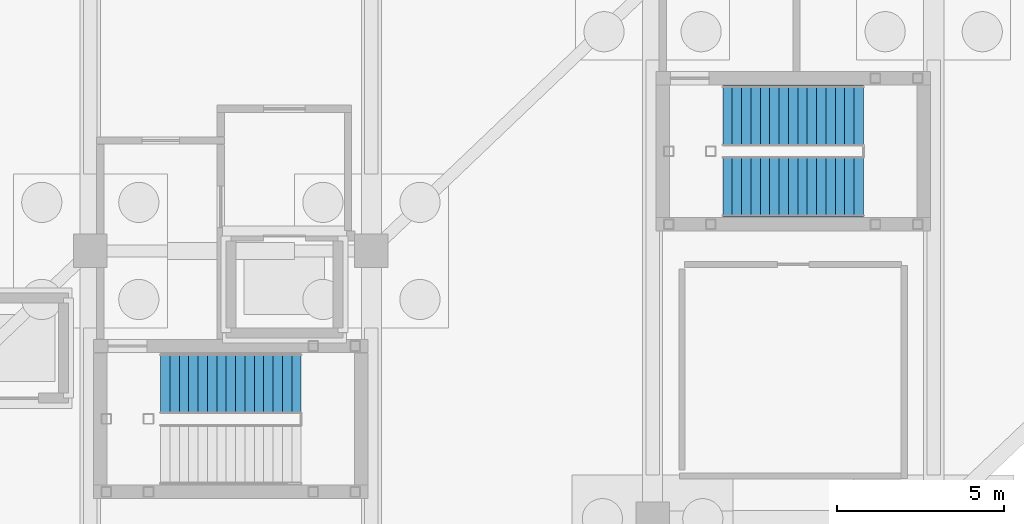
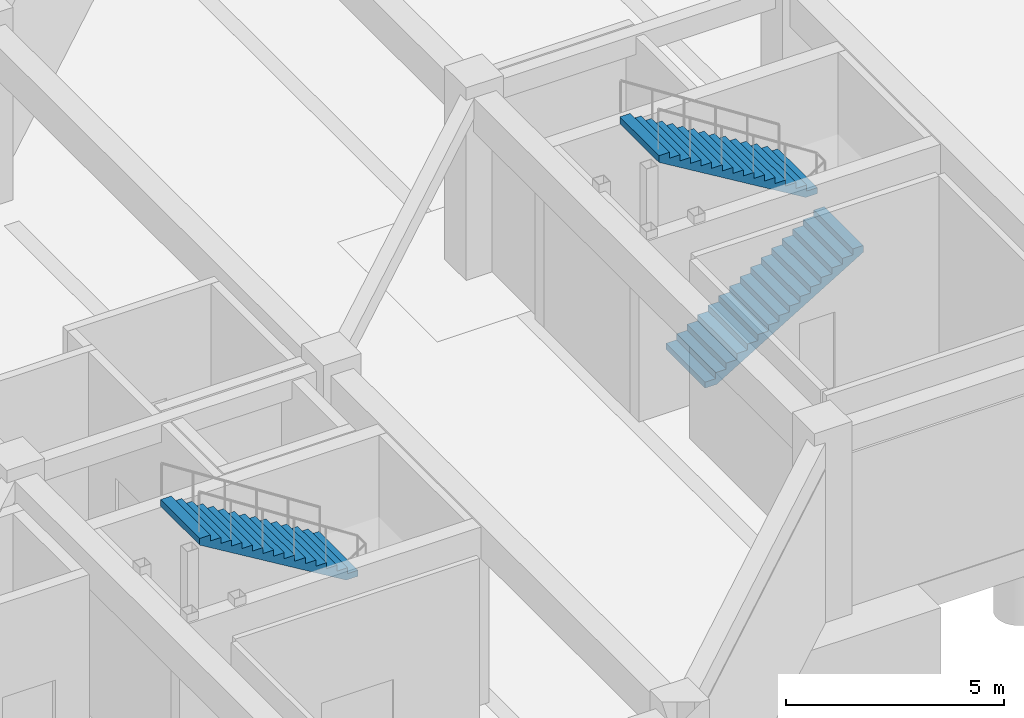
# One storey, part 45 of 56: 3 stair flights, 2 elements without a shape of their own.
"""IFC4 building model written with IfcOpenShell, lengths in metres."""

from ifc_helpers import new_model, si_unit, direction, frame, origin, place, context, subcontext, project, spatial, polyline, outline, extrude, material, type_object, element, aggregate, save


model = new_model("IFC4")

# Units and contexts
model_context = context("Model", 3, precision=1e-05, world=origin(), true_north=direction((0.0, 1.0)))
body_context = subcontext(model_context, "Body", "Model", "MODEL_VIEW")
ifc_project = project(units=[si_unit("LENGTHUNIT", "METRE"), si_unit("AREAUNIT", "SQUARE_METRE"), si_unit("VOLUMEUNIT", "CUBIC_METRE"), si_unit("PLANEANGLEUNIT", "RADIAN"), si_unit("MASSUNIT", "GRAM", prefix="KILO")], contexts=[model_context])

# Site, building, storey
site_placement = place(None, origin())
site = spatial("IfcSite", under=ifc_project, at=site_placement, CompositionType="ELEMENT")
building_placement = place(site_placement, origin())
building = spatial("IfcBuilding", under=site, at=building_placement, Name="Naruveol Harbour Congress Hotel", CompositionType="ELEMENT")
storey_placement = place(building_placement, frame((0.0, 0.0, -5.39990234375)))
storey = spatial("IfcBuildingStorey", under=building, at=storey_placement, Name="B01", CompositionType="ELEMENT", Elevation=-5.39990234375)

# Stair, stair flight
ifc_material_1 = material(Name="Concrete C40/50", Category="concrete")
stair_type = type_object("IfcStairType", Name="RC DOG LEG ESCAPE STAIR 1800W H5400", PredefinedType="HALF_TURN_STAIR", material=ifc_material_1)
stair_1_placement = place(storey_placement, origin())
stair_1 = element("IfcStair", 1, at=stair_1_placement, inside=storey, type_object=stair_type, Name="Special Escape Stair ST2 B01 to L00", PredefinedType="HALF_TURN_STAIR")
ifc_material_2 = material(Name="Concrete C40/50", Category="concrete")
stair_flight_type = type_object("IfcStairFlightType", Name="RC STRAIGHT STAIR FLIGHT 1800W R16", PredefinedType="STRAIGHT", material=ifc_material_2)
stair_flight_1_placement = place(storey_placement, frame((157.5, 20.0400390625, 2.699951171875), z_axis=(0.0, 0.0, 1.0), x_axis=(-1.0, 0.0, 0.0)))
stair_flight_1 = element("IfcStairFlight", 2, at=stair_flight_1_placement, type_object=stair_flight_type, Name="ST2 B01 upper flight", NumberOfRisers=16, NumberOfTreads=15, PredefinedType="STRAIGHT", RiserHeight=0.16875, TreadLength=0.28, context=body_context, shape_type="SweptSolid", body=[
    extrude(outline(polyline([(0.0, 0.0), (0.0, 0.168701171875), (0.280029296875, 0.168701171875), (0.280029296875, 0.33740234375), (0.56005859375, 0.33740234375), (0.56005859375, 0.50634765625), (0.840087890625, 0.50634765625), (0.840087890625, 0.675048828125), (1.1201171875, 0.675048828125), (1.1201171875, 0.84375), (1.39990234375, 0.84375), (1.39990234375, 1.012451171875), (1.679931640625, 1.012451171875), (1.679931640625, 1.18115234375), (1.9599609375, 1.18115234375), (1.9599609375, 1.35009765625), (2.239990234375, 1.35009765625), (2.239990234375, 1.518798828125), (2.52001953125, 1.518798828125), (2.52001953125, 1.6875), (2.800048828125, 1.6875), (2.800048828125, 1.856201171875), (3.080078125, 1.856201171875), (3.080078125, 2.02490234375), (3.360107421875, 2.02490234375), (3.360107421875, 2.19384765625), (3.639892578125, 2.19384765625), (3.639892578125, 2.362548828125), (3.919921875, 2.362548828125), (3.919921875, 2.53125), (4.199951171875, 2.53125), (4.199951171875, 2.699951171875), (4.199951171875, 2.344482421875), (0.309814453125, 0.0), (0.0, 0.0)])), frame((0.0, 0.89990234375, 0.0), z_axis=(0.0, -1.0, 0.0), x_axis=(1.0, 0.0, 0.0)), (0.0, 0.0, 1.0), 1.800048828125),
])
aggregate(stair_1, [stair_flight_1])

# Stair, stair flights
stair_2_placement = place(storey_placement, origin())
stair_2 = element("IfcStair", 3, at=stair_2_placement, inside=storey, type_object=stair_type, Name="Special Escape Stair ST4 B01 to L00", PredefinedType="HALF_TURN_STAIR")
stair_flight_2_placement = place(storey_placement, frame((170.10009765625, 25.919921875, 0.0), z_axis=(0.0, 0.0, 1.0), x_axis=(1.0, 0.0, 0.0)))
stair_flight_2 = element("IfcStairFlight", 4, at=stair_flight_2_placement, type_object=stair_flight_type, Name="ST4 B01 lower flight", NumberOfRisers=16, NumberOfTreads=15, PredefinedType="STRAIGHT", RiserHeight=0.16875, TreadLength=0.28, context=body_context, shape_type="SweptSolid", body=[
    extrude(outline(polyline([(0.0, 0.0), (0.0, 0.168701171875), (0.280029296875, 0.168701171875), (0.280029296875, 0.33740234375), (0.56005859375, 0.33740234375), (0.56005859375, 0.50634765625), (0.840087890625, 0.50634765625), (0.840087890625, 0.675048828125), (1.1201171875, 0.675048828125), (1.1201171875, 0.84375), (1.39990234375, 0.84375), (1.39990234375, 1.012451171875), (1.679931640625, 1.012451171875), (1.679931640625, 1.18115234375), (1.9599609375, 1.18115234375), (1.9599609375, 1.35009765625), (2.239990234375, 1.35009765625), (2.239990234375, 1.518798828125), (2.52001953125, 1.518798828125), (2.52001953125, 1.6875), (2.800048828125, 1.6875), (2.800048828125, 1.856201171875), (3.080078125, 1.856201171875), (3.080078125, 2.02490234375), (3.360107421875, 2.02490234375), (3.360107421875, 2.19384765625), (3.639892578125, 2.19384765625), (3.639892578125, 2.362548828125), (3.919921875, 2.362548828125), (3.919921875, 2.53125), (4.199951171875, 2.53125), (4.199951171875, 2.699951171875), (4.199951171875, 2.344482421875), (0.309814453125, 0.0), (0.0, 0.0)])), frame((0.0, 0.89990234375, 0.0), z_axis=(0.0, -1.0, 0.0), x_axis=(1.0, 0.0, 0.0)), (0.0, 0.0, 1.0), 1.800048828125),
])
stair_flight_3_placement = place(storey_placement, frame((174.300048828125, 28.0400390625, 2.699951171875), z_axis=(0.0, 0.0, 1.0), x_axis=(-1.0, 0.0, 0.0)))
stair_flight_3 = element("IfcStairFlight", 5, at=stair_flight_3_placement, type_object=stair_flight_type, Name="ST4 B01 upper flight", NumberOfRisers=16, NumberOfTreads=15, PredefinedType="STRAIGHT", RiserHeight=0.16875, TreadLength=0.28, context=body_context, shape_type="SweptSolid", body=[
    extrude(outline(polyline([(0.0, 0.0), (0.0, 0.168701171875), (0.280029296875, 0.168701171875), (0.280029296875, 0.33740234375), (0.56005859375, 0.33740234375), (0.56005859375, 0.50634765625), (0.840087890625, 0.50634765625), (0.840087890625, 0.675048828125), (1.1201171875, 0.675048828125), (1.1201171875, 0.84375), (1.39990234375, 0.84375), (1.39990234375, 1.012451171875), (1.679931640625, 1.012451171875), (1.679931640625, 1.18115234375), (1.9599609375, 1.18115234375), (1.9599609375, 1.35009765625), (2.239990234375, 1.35009765625), (2.239990234375, 1.518798828125), (2.52001953125, 1.518798828125), (2.52001953125, 1.6875), (2.800048828125, 1.6875), (2.800048828125, 1.856201171875), (3.080078125, 1.856201171875), (3.080078125, 2.02490234375), (3.360107421875, 2.02490234375), (3.360107421875, 2.19384765625), (3.639892578125, 2.19384765625), (3.639892578125, 2.362548828125), (3.919921875, 2.362548828125), (3.919921875, 2.53125), (4.199951171875, 2.53125), (4.199951171875, 2.699951171875), (4.199951171875, 2.344482421875), (0.309814453125, 0.0), (0.0, 0.0)])), frame((0.0, 0.89990234375, 0.0), z_axis=(0.0, -1.0, 0.0), x_axis=(1.0, 0.0, 0.0)), (0.0, 0.0, 1.0), 1.800048828125),
])
aggregate(stair_2, [stair_flight_2, stair_flight_3])

save(model, "model.ifc")
